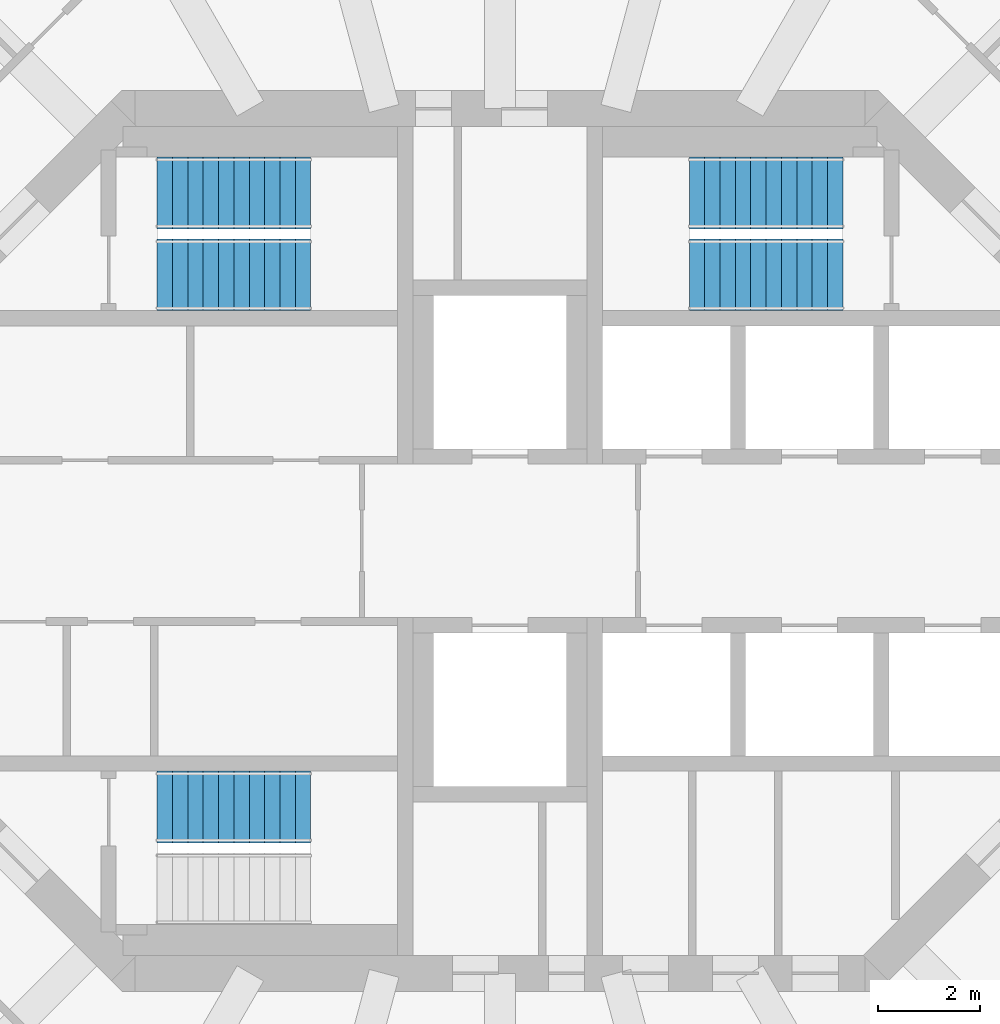
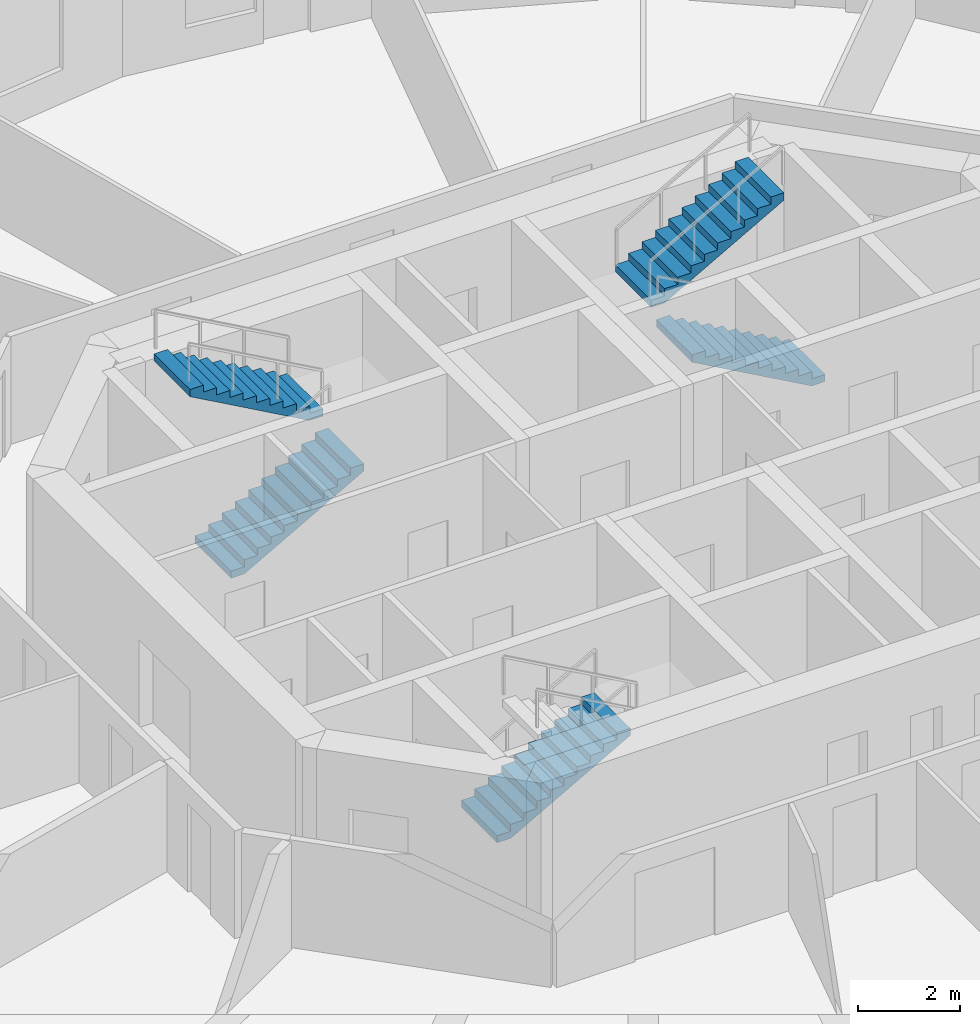
# One storey, part 7 of 9: 5 stair flights, 3 elements without a shape of their own.
"""IFC4 building model written with IfcOpenShell, lengths in metres."""

from ifc_helpers import new_model, si_unit, direction, frame, origin, place, context, subcontext, project, spatial, polyline, outline, extrude, material, type_object, element, aggregate, save


model = new_model("IFC4")

# Units and contexts
model_context = context("Model", 3, precision=1e-05, world=origin(), true_north=direction((0.0, 1.0)))
body_context = subcontext(model_context, "Body", "Model", "MODEL_VIEW")
ifc_project = project(units=[si_unit("LENGTHUNIT", "METRE"), si_unit("AREAUNIT", "SQUARE_METRE"), si_unit("VOLUMEUNIT", "CUBIC_METRE"), si_unit("PLANEANGLEUNIT", "RADIAN"), si_unit("MASSUNIT", "GRAM", prefix="KILO")], contexts=[model_context])

# Site, building, storey
site_placement = place(None, origin())
site = spatial("IfcSite", under=ifc_project, at=site_placement, CompositionType="ELEMENT")
building_placement = place(site_placement, origin())
building = spatial("IfcBuilding", under=site, at=building_placement, Name="Torre Triforio", CompositionType="ELEMENT")
storey_placement = place(building_placement, frame((0.0, 0.0, 237.199951171875)))
storey = spatial("IfcBuildingStorey", under=building, at=storey_placement, Name="L54", CompositionType="ELEMENT", Elevation=237.199951171875)

# Stair, stair flights
ifc_material = material(Name="Concrete C40", Category="concrete")
stair_type = type_object("IfcStairType", Name="STAIR HALF-TURN", PredefinedType="HALF_TURN_STAIR", material=ifc_material)
stair_1_placement = place(storey_placement, origin())
stair_1 = element("IfcStair", 1, at=stair_1_placement, inside=storey, type_object=stair_type, Name="Exit stair 1", PredefinedType="HALF_TURN_STAIR")
stair_flight_type = type_object("IfcStairFlightType", Name="STAIR FLIGHT 1400", PredefinedType="STRAIGHT", material=ifc_material)
stair_flight_1_placement = place(storey_placement, frame((-6.699951171875, 5.199951171875, 0.0), z_axis=(0.0, 0.0, 1.0), x_axis=(1.0, 0.0, 0.0)))
stair_flight_1 = element("IfcStairFlight", 2, at=stair_flight_1_placement, type_object=stair_flight_type, Name="ST1 flight 1", NumberOfRisers=11, NumberOfTreads=10, PredefinedType="STRAIGHT", RiserHeight=0.168181818, TreadLength=0.3, context=body_context, shape_type="SweptSolid", body=[
    extrude(outline(polyline([(0.0, 0.0), (0.0, 0.168212890625), (0.300048828125, 0.168212890625), (0.300048828125, 0.33642578125), (0.60009765625, 0.33642578125), (0.60009765625, 0.504638671875), (0.89990234375, 0.504638671875), (0.89990234375, 0.672607421875), (1.199951171875, 0.672607421875), (1.199951171875, 0.8408203125), (1.5, 0.8408203125), (1.5, 1.009033203125), (1.800048828125, 1.009033203125), (1.800048828125, 1.17724609375), (2.10009765625, 1.17724609375), (2.10009765625, 1.345458984375), (2.39990234375, 1.345458984375), (2.39990234375, 1.513671875), (2.699951171875, 1.513671875), (2.699951171875, 1.681884765625), (3.0, 1.681884765625), (3.0, 1.85009765625), (3.0, 1.510009765625), (0.306640625, 0.0), (0.0, 0.0)])), frame((0.0, 0.699951171875, 0.0), z_axis=(0.0, -1.0, 0.0), x_axis=(1.0, 0.0, 0.0)), (0.0, 0.0, 1.0), 1.39990234375),
])
stair_flight_2_placement = place(storey_placement, frame((-3.699951171875, 6.800048828125, 1.85009765625), z_axis=(0.0, 0.0, 1.0), x_axis=(-1.0, 0.0, 0.0)))
stair_flight_2 = element("IfcStairFlight", 3, at=stair_flight_2_placement, type_object=stair_flight_type, Name="ST1 flight 2", NumberOfRisers=11, NumberOfTreads=10, PredefinedType="STRAIGHT", RiserHeight=0.168181818, TreadLength=0.3, context=body_context, shape_type="SweptSolid", body=[
    extrude(outline(polyline([(0.0, 0.0), (0.0, 0.168212890625), (0.300048828125, 0.168212890625), (0.300048828125, 0.33642578125), (0.60009765625, 0.33642578125), (0.60009765625, 0.504638671875), (0.89990234375, 0.504638671875), (0.89990234375, 0.672607421875), (1.199951171875, 0.672607421875), (1.199951171875, 0.8408203125), (1.5, 0.8408203125), (1.5, 1.009033203125), (1.800048828125, 1.009033203125), (1.800048828125, 1.17724609375), (2.10009765625, 1.17724609375), (2.10009765625, 1.345458984375), (2.39990234375, 1.345458984375), (2.39990234375, 1.513671875), (2.699951171875, 1.513671875), (2.699951171875, 1.681884765625), (3.0, 1.681884765625), (3.0, 1.85009765625), (3.0, 1.510009765625), (0.306640625, 0.0), (0.0, 0.0)])), frame((0.0, 0.699951171875, 0.0), z_axis=(0.0, -1.0, 0.0), x_axis=(1.0, 0.0, 0.0)), (0.0, 0.0, 1.0), 1.39990234375),
])
aggregate(stair_1, [stair_flight_1, stair_flight_2])

stair_2_placement = place(storey_placement, origin())
stair_2 = element("IfcStair", 4, at=stair_2_placement, inside=storey, type_object=stair_type, Name="Exit stair 2", PredefinedType="HALF_TURN_STAIR")
stair_flight_3_placement = place(storey_placement, frame((6.699951171875, 5.199951171875, 0.0), z_axis=(0.0, 0.0, 1.0), x_axis=(-1.0, 0.0, 0.0)))
stair_flight_3 = element("IfcStairFlight", 5, at=stair_flight_3_placement, type_object=stair_flight_type, Name="ST2 flight 1", NumberOfRisers=11, NumberOfTreads=10, PredefinedType="STRAIGHT", RiserHeight=0.168181818, TreadLength=0.3, context=body_context, shape_type="SweptSolid", body=[
    extrude(outline(polyline([(0.0, 0.0), (0.0, 0.168212890625), (0.300048828125, 0.168212890625), (0.300048828125, 0.33642578125), (0.60009765625, 0.33642578125), (0.60009765625, 0.504638671875), (0.89990234375, 0.504638671875), (0.89990234375, 0.672607421875), (1.199951171875, 0.672607421875), (1.199951171875, 0.8408203125), (1.5, 0.8408203125), (1.5, 1.009033203125), (1.800048828125, 1.009033203125), (1.800048828125, 1.17724609375), (2.10009765625, 1.17724609375), (2.10009765625, 1.345458984375), (2.39990234375, 1.345458984375), (2.39990234375, 1.513671875), (2.699951171875, 1.513671875), (2.699951171875, 1.681884765625), (3.0, 1.681884765625), (3.0, 1.85009765625), (3.0, 1.510009765625), (0.306640625, 0.0), (0.0, 0.0)])), frame((0.0, 0.699951171875, 0.0), z_axis=(0.0, -1.0, 0.0), x_axis=(1.0, 0.0, 0.0)), (0.0, 0.0, 1.0), 1.39990234375),
])
stair_flight_4_placement = place(storey_placement, frame((3.699951171875, 6.800048828125, 1.85009765625), z_axis=(0.0, 0.0, 1.0), x_axis=(1.0, 0.0, 0.0)))
stair_flight_4 = element("IfcStairFlight", 6, at=stair_flight_4_placement, type_object=stair_flight_type, Name="ST2 flight 2", NumberOfRisers=11, NumberOfTreads=10, PredefinedType="STRAIGHT", RiserHeight=0.168181818, TreadLength=0.3, context=body_context, shape_type="SweptSolid", body=[
    extrude(outline(polyline([(0.0, 0.0), (0.0, 0.168212890625), (0.300048828125, 0.168212890625), (0.300048828125, 0.33642578125), (0.60009765625, 0.33642578125), (0.60009765625, 0.504638671875), (0.89990234375, 0.504638671875), (0.89990234375, 0.672607421875), (1.199951171875, 0.672607421875), (1.199951171875, 0.8408203125), (1.5, 0.8408203125), (1.5, 1.009033203125), (1.800048828125, 1.009033203125), (1.800048828125, 1.17724609375), (2.10009765625, 1.17724609375), (2.10009765625, 1.345458984375), (2.39990234375, 1.345458984375), (2.39990234375, 1.513671875), (2.699951171875, 1.513671875), (2.699951171875, 1.681884765625), (3.0, 1.681884765625), (3.0, 1.85009765625), (3.0, 1.510009765625), (0.306640625, 0.0), (0.0, 0.0)])), frame((0.0, 0.699951171875, 0.0), z_axis=(0.0, -1.0, 0.0), x_axis=(1.0, 0.0, 0.0)), (0.0, 0.0, 1.0), 1.39990234375),
])
aggregate(stair_2, [stair_flight_3, stair_flight_4])

# Stair, stair flight
stair_3_placement = place(storey_placement, origin())
stair_3 = element("IfcStair", 7, at=stair_3_placement, inside=storey, type_object=stair_type, Name="Exit stair 3", PredefinedType="HALF_TURN_STAIR")
stair_flight_5_placement = place(storey_placement, frame((-6.699951171875, -5.199951171875, 0.0), z_axis=(0.0, 0.0, 1.0), x_axis=(1.0, 0.0, 0.0)))
stair_flight_5 = element("IfcStairFlight", 8, at=stair_flight_5_placement, type_object=stair_flight_type, Name="ST3 flight 1", NumberOfRisers=11, NumberOfTreads=10, PredefinedType="STRAIGHT", RiserHeight=0.168181818, TreadLength=0.3, context=body_context, shape_type="SweptSolid", body=[
    extrude(outline(polyline([(0.0, 0.0), (0.0, 0.168212890625), (0.300048828125, 0.168212890625), (0.300048828125, 0.33642578125), (0.60009765625, 0.33642578125), (0.60009765625, 0.504638671875), (0.89990234375, 0.504638671875), (0.89990234375, 0.672607421875), (1.199951171875, 0.672607421875), (1.199951171875, 0.8408203125), (1.5, 0.8408203125), (1.5, 1.009033203125), (1.800048828125, 1.009033203125), (1.800048828125, 1.17724609375), (2.10009765625, 1.17724609375), (2.10009765625, 1.345458984375), (2.39990234375, 1.345458984375), (2.39990234375, 1.513671875), (2.699951171875, 1.513671875), (2.699951171875, 1.681884765625), (3.0, 1.681884765625), (3.0, 1.85009765625), (3.0, 1.510009765625), (0.306640625, 0.0), (0.0, 0.0)])), frame((0.0, 0.699951171875, 0.0), z_axis=(0.0, -1.0, 0.0), x_axis=(1.0, 0.0, 0.0)), (0.0, 0.0, 1.0), 1.39990234375),
])
aggregate(stair_3, [stair_flight_5])

save(model, "model.ifc")
